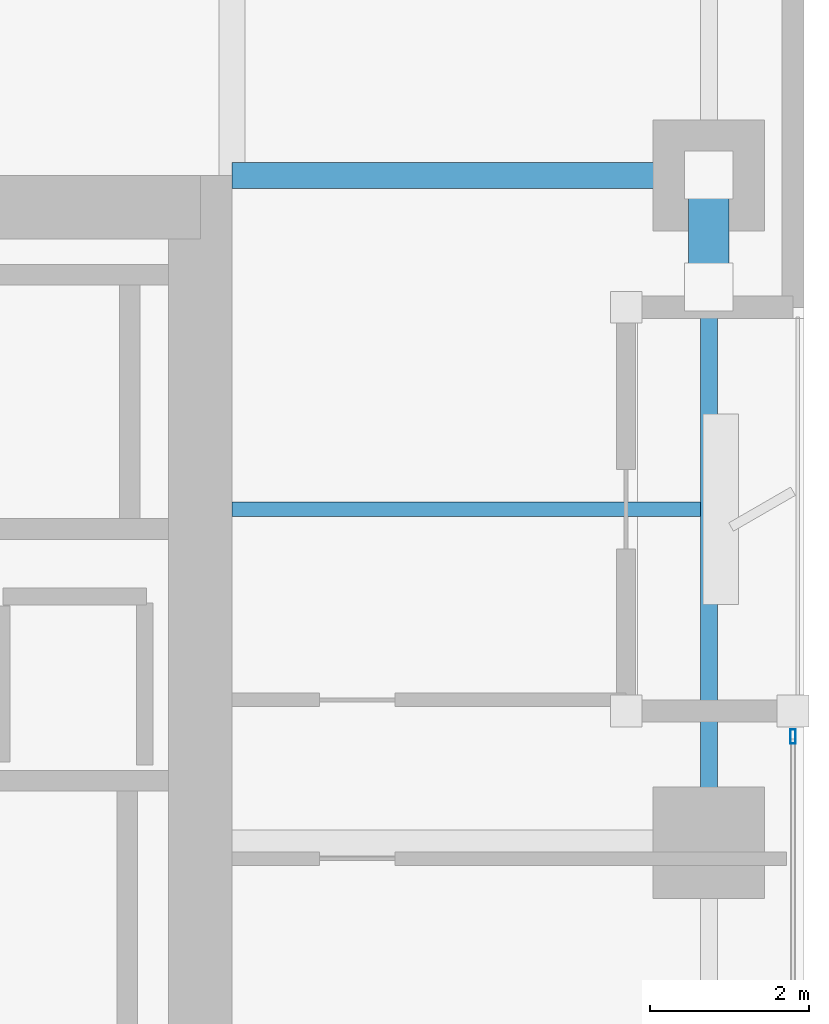
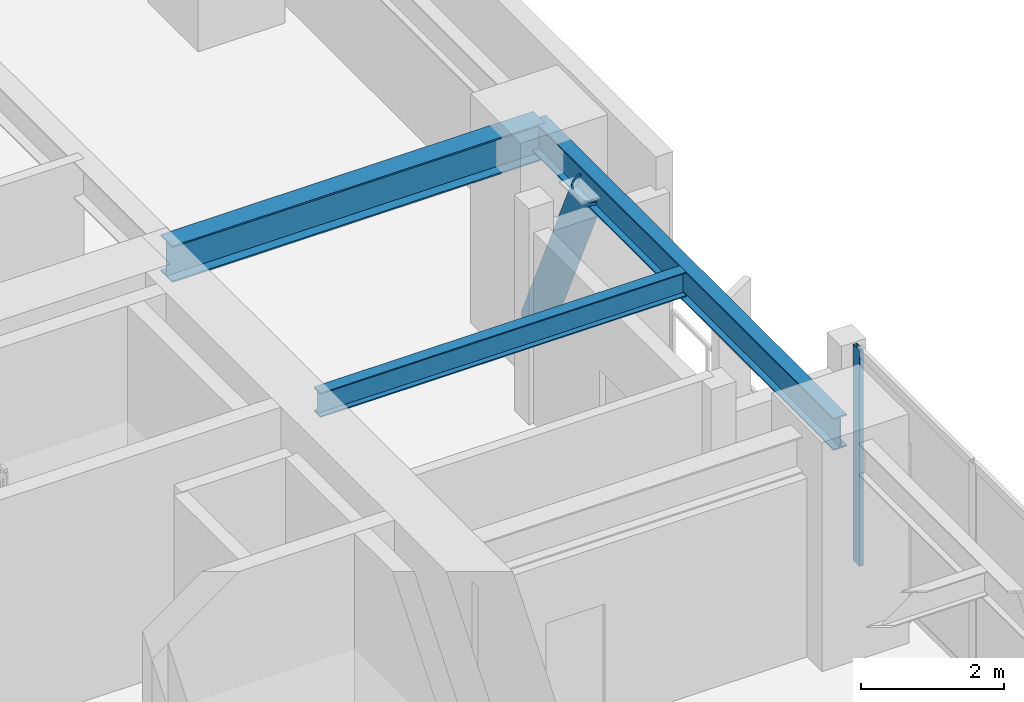
# One storey, part 11 of 31: 3 beams, 2 members, 1 element without a shape of its own.
"""IFC4 building model written with IfcOpenShell, lengths in metres."""

from ifc_helpers import new_model, si_unit, direction, frame, origin, origin_2d, place, context, subcontext, project, spatial, hollow_rectangle, hollow_circle, i_section, extrude, material, layer, layer_set, material_profile, profile_set, type_object, element, aggregate, save


model = new_model("IFC4")

# Units and contexts
model_context = context("Model", 3, precision=1e-05, world=origin(), true_north=direction((0.0, 1.0)))
body_context = subcontext(model_context, "Body", "Model", "MODEL_VIEW")
ifc_project = project(units=[si_unit("LENGTHUNIT", "METRE"), si_unit("AREAUNIT", "SQUARE_METRE"), si_unit("VOLUMEUNIT", "CUBIC_METRE"), si_unit("PLANEANGLEUNIT", "RADIAN"), si_unit("MASSUNIT", "GRAM", prefix="KILO")], contexts=[model_context])

# Site, building, storey
site_placement = place(None, origin())
site = spatial("IfcSite", under=ifc_project, at=site_placement, CompositionType="ELEMENT")
building_placement = place(site_placement, origin())
building = spatial("IfcBuilding", under=site, at=building_placement, Name="Kiyonajd Concourse Tower", CompositionType="ELEMENT")
storey_placement = place(building_placement, frame((0.0, 0.0, 158.39990234375)))
storey = spatial("IfcBuildingStorey", under=building, at=storey_placement, Name="L40", CompositionType="ELEMENT", Elevation=158.39990234375)

# Beams
ifc_material_1 = material(Name="Steel ASTM A992 Grade 50", Category="steel")
ifc_material_profile_1 = material_profile(ifc_material_1, i_section(OverallWidth=0.180908203125, OverallDepth=0.4169921875, WebThickness=0.010986328125, FlangeThickness=0.018310546875, at=origin_2d()), Name="W410X85")
ifc_profile_set_1 = profile_set([ifc_material_profile_1], Name="Steel ASTM A992 Grade 50")
beam_type_1 = type_object("IfcBeamType", Name="BM-JST-410", PredefinedType="JOIST", material=ifc_profile_set_1)
beam_1_placement = place(storey_placement, frame((63.60009765625, 40.199951171875, 3.4716796875), z_axis=(1.0, 0.0, 0.0), x_axis=(0.0, 1.0, 0.0)))
element("IfcBeam", 1, at=beam_1_placement, inside=storey, type_object=beam_type_1, Name="L40 East Secondary Floor Joist", PredefinedType="JOIST", context=body_context, shape_type="SweptSolid", body=[
    extrude(i_section(OverallWidth=0.180908203125, OverallDepth=0.4169921875, WebThickness=0.010986328125, FlangeThickness=0.018310546875, at=origin_2d()), origin(), (0.0, 0.0, 1.0), 5.892822265625),
])
ifc_material_profile_2 = material_profile(ifc_material_1, i_section(OverallWidth=0.214111328125, OverallDepth=0.549072265625, WebThickness=0.0146484375, FlangeThickness=0.023681640625, at=origin_2d()), Name="W530X138")
ifc_profile_set_2 = profile_set([ifc_material_profile_2], Name="Steel ASTM A992 Grade 50")
beam_type_2 = type_object("IfcBeamType", Name="BM-SPAN-530A", PredefinedType="SPANDREL", material=ifc_profile_set_2)
beam_2_placement = place(storey_placement, frame((69.60009765625, 36.0, 3.405517578125), z_axis=(0.0, 1.0, 0.0), x_axis=(-1.0, 0.0, 0.0)))
element("IfcBeam", 2, at=beam_2_placement, inside=storey, type_object=beam_type_2, Name="L40 Perimeter Bundled Tube Spandrel", PredefinedType="SPANDREL", context=body_context, shape_type="SweptSolid", body=[
    extrude(i_section(OverallWidth=0.214111328125, OverallDepth=0.549072265625, WebThickness=0.0146484375, FlangeThickness=0.023681640625, at=origin_2d()), origin(), (0.0, 0.0, 1.0), 8.39990234375),
])
ifc_material_profile_3 = material_profile(ifc_material_1, i_section(OverallWidth=0.326904296875, OverallDepth=0.6220703125, WebThickness=0.015380859375, FlangeThickness=0.0244140625, at=origin_2d()), Name="W610X195")
ifc_profile_set_3 = profile_set([ifc_material_profile_3], Name="Steel ASTM A992 Grade 50")
beam_type_3 = type_object("IfcBeamType", Name="BM-TWR-610A", PredefinedType="BEAM", material=ifc_profile_set_3)
beam_3_placement = place(storey_placement, frame((63.60009765625, 44.39990234375, 3.369140625), z_axis=(1.0, 0.0, 0.0), x_axis=(0.0, 1.0, 0.0)))
element("IfcBeam", 3, at=beam_3_placement, inside=storey, type_object=beam_type_3, Name="L40 East Lease Girder", PredefinedType="BEAM", context=body_context, shape_type="SweptSolid", body=[
    extrude(i_section(OverallWidth=0.326904296875, OverallDepth=0.6220703125, WebThickness=0.015380859375, FlangeThickness=0.0244140625, at=origin_2d()), origin(), (0.0, 0.0, 1.0), 6.0),
])

# Curtain wall, member
ifc_material_2 = material(Name="Thermally Broken Anodised Aluminium", Category="aluminium")
ifc_layer = layer(ifc_material_2, 0.179931640625)
ifc_layer_set = layer_set([ifc_layer], Name="Thermally Broken Anodised Aluminium")
curtain_wall_type = type_object("IfcCurtainWallType", Name="CW-SYS-03", PredefinedType="NOTDEFINED", material=ifc_layer_set)
curtain_wall_placement = place(storey_placement, origin())
curtain_wall = element("IfcCurtainWall", 4, at=curtain_wall_placement, inside=storey, type_object=curtain_wall_type, Name="L40 Unitised Curtain Wall CW3", PredefinedType="NOTDEFINED")
ifc_material_profile_4 = material_profile(ifc_material_2, hollow_rectangle(XDim=0.06494140625, YDim=0.179931640625, WallThickness=0.00390625, at=origin_2d()), Name="MULL-65x180")
ifc_profile_set_4 = profile_set([ifc_material_profile_4], Name="Thermally Broken Anodised Aluminium")
member_type_1 = type_object("IfcMemberType", Name="MB-CW-MULL1", PredefinedType="MULLION", material=ifc_profile_set_4)
member_1_placement = place(storey_placement, frame((70.659912109375, 37.33740234375, 0.0), z_axis=(0.0, 0.0, 1.0), x_axis=(1.0, 0.0, 0.0)))
member_1 = element("IfcMember", 5, at=member_1_placement, type_object=member_type_1, Name="CW3 mullion 1", PredefinedType="MULLION", context=body_context, shape_type="SweptSolid", body=[
    extrude(hollow_rectangle(XDim=0.06494140625, YDim=0.179931640625, WallThickness=0.00390625, at=origin_2d()), origin(), (0.0, 0.0, 1.0), 3.68017578125),
])
aggregate(curtain_wall, [member_1])

# Member
ifc_material_3 = material(Name="Steel ASTM A500 Grade C", Category="steel")
ifc_material_profile_5 = material_profile(ifc_material_3, hollow_circle(Radius=0.25390625, WallThickness=0.02197265625, at=origin_2d()), Name="CHS-508x22")
ifc_profile_set_5 = profile_set([ifc_material_profile_5], Name="Steel ASTM A500 Grade C")
member_type_2 = type_object("IfcMemberType", Name="MB-PB-MID", PredefinedType="BRACE", material=ifc_profile_set_5)
member_2_placement = place(storey_placement, frame((69.60009765625, 44.39990234375, 0.300048828125), z_axis=(0.0, -0.419410666774, 0.907796614114), x_axis=(1.0, 0.0, 0.0)))
element("IfcMember", 6, at=member_2_placement, inside=storey, type_object=member_type_2, Name="L40 Upper Zone Hollow Tube Brace PBE", PredefinedType="BRACE", context=body_context, shape_type="SweptSolid", body=[
    extrude(hollow_circle(Radius=0.25390625, WallThickness=0.02197265625, at=origin_2d()), origin(), (0.0, 0.0, 1.0), 3.337890625),
])

save(model, "model.ifc")
